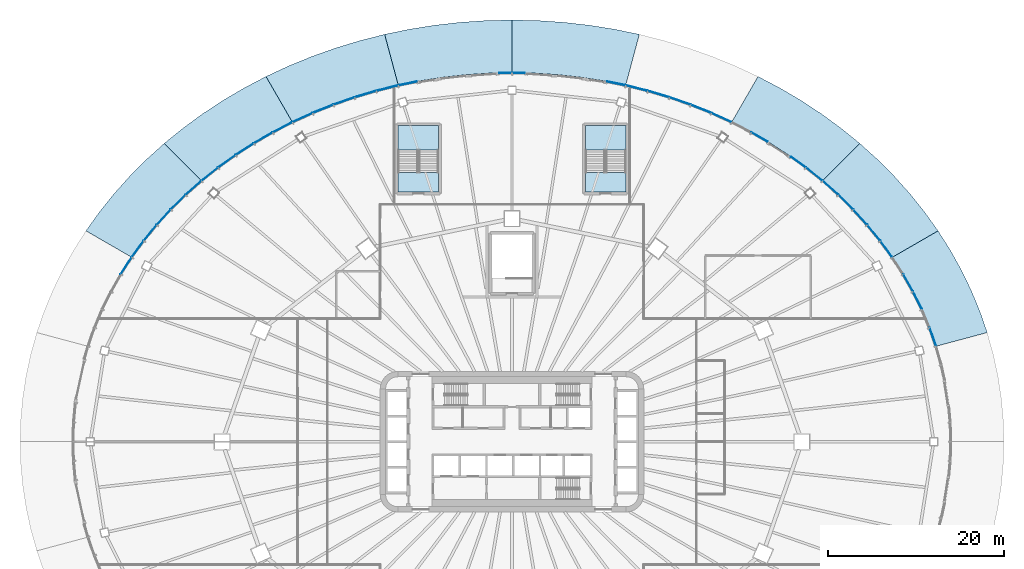
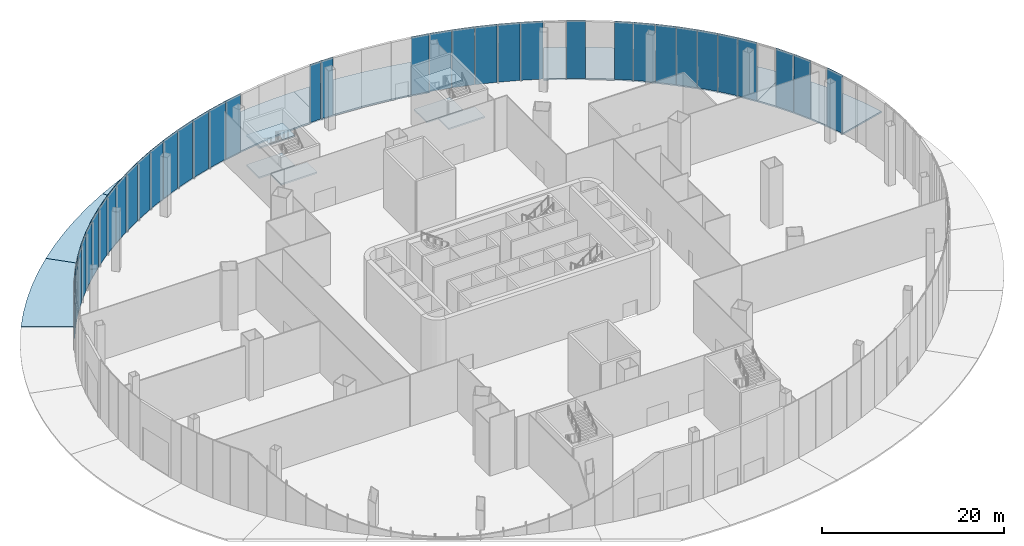
# One storey, part 14 of 36: 36 plates, 14 slabs, 15 elements without a shape of their own.
"""IFC4 building model written with IfcOpenShell, lengths in metres."""

from ifc_helpers import new_model, si_unit, direction, frame, origin, place, context, subcontext, project, spatial, polyline, outline, extrude, material, layer, layer_set, type_object, element, aggregate, save


model = new_model("IFC4")

# Units and contexts
model_context = context("Model", 3, precision=1e-05, world=origin(), true_north=direction((0.0, 1.0)))
body_context = subcontext(model_context, "Body", "Model", "MODEL_VIEW")
ifc_project = project(units=[si_unit("LENGTHUNIT", "METRE"), si_unit("AREAUNIT", "SQUARE_METRE"), si_unit("VOLUMEUNIT", "CUBIC_METRE"), si_unit("PLANEANGLEUNIT", "RADIAN"), si_unit("MASSUNIT", "GRAM", prefix="KILO")], contexts=[model_context])

# Site, building, storey
site_placement = place(None, origin())
site = spatial("IfcSite", under=ifc_project, at=site_placement, CompositionType="ELEMENT")
building_placement = place(site_placement, origin())
building = spatial("IfcBuilding", under=site, at=building_placement, Name="Sahrelin Media Tower", CompositionType="ELEMENT")
storey_placement = place(building_placement, origin())
storey = spatial("IfcBuildingStorey", under=building, at=storey_placement, Name="L00", CompositionType="ELEMENT", Elevation=0.0)

# Curtain wall, plates
ifc_material_1 = material(Name="Champagne anodised aluminium 6063-T6", Category="aluminium")
ifc_layer_1 = layer(ifc_material_1, 0.14990234375)
ifc_layer_set_1 = layer_set([ifc_layer_1], Name="Concourse curtain wall")
curtain_wall_type_1 = type_object("IfcCurtainWallType", Name="Concourse curtain wall", PredefinedType="NOTDEFINED", material=ifc_layer_set_1)
curtain_wall_1_placement = place(storey_placement, frame((48.29638671875, 10.870361328125, 0.0), z_axis=(0.0, 0.0, 1.0), x_axis=(1.0, 0.0, 0.0)))
curtain_wall_1 = element("IfcCurtainWall", 1, at=curtain_wall_1_placement, inside=storey, type_object=curtain_wall_type_1, Name="L00:CW:L00-P01", PredefinedType="NOTDEFINED")
ifc_material_2 = material(Name="Clear low-iron glazing", Category="glass")
ifc_layer_2 = layer(ifc_material_2, 0.06005859375)
ifc_layer_set_2 = layer_set([ifc_layer_2], Name="Glazing panel 60 mm CW4")
plate_type_1 = type_object("IfcPlateType", Name="Glazing panel 60 mm CW4", PredefinedType="CURTAIN_PANEL", material=ifc_layer_set_2)
plate_1_placement = place(storey_placement, frame((48.295166015625, 10.93359375, 0.0), z_axis=(0.94310008559, 0.332508990195, 0.0), x_axis=(-0.332508990195, 0.94310008559, 0.0)))
plate_1 = element("IfcPlate", 2, at=plate_1_placement, type_object=plate_type_1, Name="L00:CWP1a:L00-P01", PredefinedType="CURTAIN_PANEL", context=body_context, shape_type="SweptSolid", body=[
    extrude(outline(polyline([(0.0, 0.0), (2.175537109375, 0.0), (2.175537109375, 7.800048828125), (0.0, 7.800048828125), (0.0, 0.0)])), origin(), (0.0, 0.0, -1.0), 0.06005859375),
])
plate_2_placement = place(storey_placement, frame((46.67041015625, 15.1142578125, 0.0), z_axis=(0.896893733588, 0.442246119994, 0.0), x_axis=(-0.442246119994, 0.896893733588, 0.0)))
plate_2 = element("IfcPlate", 3, at=plate_2_placement, type_object=plate_type_1, Name="L00:CWP3a:L00-P01", PredefinedType="CURTAIN_PANEL", context=body_context, shape_type="SweptSolid", body=[
    extrude(outline(polyline([(0.0, 0.0), (2.204833984375, 0.0), (2.204833984375, 7.800048828125), (0.0, 7.800048828125), (0.0, 0.0)])), origin(), (0.0, 0.0, -1.0), 0.06005859375),
])
plate_3_placement = place(storey_placement, frame((45.6650390625, 17.14501953125, 0.0), z_axis=(0.869558421939, 0.493830082958, 0.0), x_axis=(-0.493830082958, 0.869558421939, 0.0)))
plate_3 = element("IfcPlate", 4, at=plate_3_placement, type_object=plate_type_1, Name="L00:CWP4a:L00-P01", PredefinedType="CURTAIN_PANEL", context=body_context, shape_type="SweptSolid", body=[
    extrude(outline(polyline([(0.0, 0.0), (2.22216796875, 0.0), (2.22216796875, 7.800048828125), (0.0, 7.800048828125), (0.0, 0.0)])), origin(), (0.0, 0.0, -1.0), 0.06005859375),
])
aggregate(curtain_wall_1, [plate_1, plate_2, plate_3])

curtain_wall_2_placement = place(storey_placement, frame((43.30126953125, 21.0, 0.0), z_axis=(0.0, 0.0, 1.0), x_axis=(1.0, 0.0, 0.0)))
curtain_wall_2 = element("IfcCurtainWall", 5, at=curtain_wall_2_placement, inside=storey, type_object=curtain_wall_type_1, Name="L00:CW:L00-P02", PredefinedType="NOTDEFINED")
plate_4_placement = place(storey_placement, frame((43.281982421875, 21.060302734375, 0.0), z_axis=(0.807899339491, 0.589320504692, 0.0), x_axis=(-0.589320504692, 0.807899339491, 0.0)))
plate_4 = element("IfcPlate", 6, at=plate_4_placement, type_object=plate_type_1, Name="L00:CWP1a:L00-P02", PredefinedType="CURTAIN_PANEL", context=body_context, shape_type="SweptSolid", body=[
    extrude(outline(polyline([(0.0, 0.0), (2.2607421875, 0.0), (2.2607421875, 7.800048828125), (0.0, 7.800048828125), (0.0, 0.0)])), origin(), (0.0, 0.0, -1.0), 0.06005859375),
])
plate_5_placement = place(storey_placement, frame((41.910888671875, 22.933837890625, 0.0), z_axis=(0.774004974834, 0.633179515566, 0.0), x_axis=(-0.633179515566, 0.774004974834, 0.0)))
plate_5 = element("IfcPlate", 7, at=plate_5_placement, type_object=plate_type_1, Name="L00:CWP2a:L00-P02", PredefinedType="CURTAIN_PANEL", context=body_context, shape_type="SweptSolid", body=[
    extrude(outline(polyline([(0.0, 0.0), (2.281494140625, 0.0), (2.281494140625, 7.800048828125), (0.0, 7.800048828125), (0.0, 0.0)])), origin(), (0.0, 0.0, -1.0), 0.06005859375),
])
plate_6_placement = place(storey_placement, frame((40.425048828125, 24.744873046875, 0.0), z_axis=(0.738350052699, 0.6744176745, 0.0), x_axis=(-0.6744176745, 0.738350052699, 0.0)))
plate_6 = element("IfcPlate", 8, at=plate_6_placement, type_object=plate_type_1, Name="L00:CWP3a:L00-P02", PredefinedType="CURTAIN_PANEL", context=body_context, shape_type="SweptSolid", body=[
    extrude(outline(polyline([(0.0, 0.0), (2.302734375, 0.0), (2.302734375, 7.800048828125), (0.0, 7.800048828125), (0.0, 0.0)])), origin(), (0.0, 0.0, -1.0), 0.06005859375),
])
plate_7_placement = place(storey_placement, frame((38.82861328125, 26.48779296875, 0.0), z_axis=(0.701201349036, 0.712963300675, 0.0), x_axis=(-0.712963300675, 0.701201349036, 0.0)))
plate_7 = element("IfcPlate", 9, at=plate_7_placement, type_object=plate_type_1, Name="L00:CWP4a:L00-P02", PredefinedType="CURTAIN_PANEL", context=body_context, shape_type="SweptSolid", body=[
    extrude(outline(polyline([(0.0, 0.0), (2.32470703125, 0.0), (2.32470703125, 7.800048828125), (0.0, 7.800048828125), (0.0, 0.0)])), origin(), (0.0, 0.0, -1.0), 0.06005859375),
])
plate_8_placement = place(storey_placement, frame((37.12548828125, 28.158203125, 0.0), z_axis=(0.662825302002, 0.748774077426, 0.0), x_axis=(-0.748774077426, 0.662825302002, 0.0)))
plate_8 = element("IfcPlate", 10, at=plate_8_placement, type_object=plate_type_1, Name="L00:CWP5a:L00-P02", PredefinedType="CURTAIN_PANEL", context=body_context, shape_type="SweptSolid", body=[
    extrude(outline(polyline([(0.0, 0.0), (2.34619140625, 0.0), (2.34619140625, 7.800048828125), (0.0, 7.800048828125), (0.0, 0.0)])), origin(), (0.0, 0.0, -1.0), 0.06005859375),
])
aggregate(curtain_wall_2, [plate_4, plate_5, plate_6, plate_7, plate_8])

curtain_wall_3_placement = place(storey_placement, frame((35.355224609375, 29.698486328125, 0.0), z_axis=(0.0, 0.0, 1.0), x_axis=(1.0, 0.0, 0.0)))
curtain_wall_3 = element("IfcCurtainWall", 11, at=curtain_wall_3_placement, inside=storey, type_object=curtain_wall_type_1, Name="L00:CW:L00-P03", PredefinedType="NOTDEFINED")
plate_9_placement = place(storey_placement, frame((35.32080078125, 29.75146484375, 0.0), z_axis=(0.623374123607, 0.781923718797, 0.0), x_axis=(-0.781923718797, 0.623374123607, 0.0)))
plate_9 = element("IfcPlate", 12, at=plate_9_placement, type_object=plate_type_1, Name="L00:CWP1a:L00-P03", PredefinedType="CURTAIN_PANEL", context=body_context, shape_type="SweptSolid", body=[
    extrude(outline(polyline([(0.0, 0.0), (2.3681640625, 0.0), (2.3681640625, 7.800048828125), (0.0, 7.800048828125), (0.0, 0.0)])), origin(), (0.0, 0.0, -1.0), 0.06005859375),
])
plate_10_placement = place(storey_placement, frame((33.41943359375, 31.26318359375, 0.0), z_axis=(0.582949448975, 0.812508424534, 0.0), x_axis=(-0.812508424534, 0.582949448975, 0.0)))
plate_10 = element("IfcPlate", 13, at=plate_10_placement, type_object=plate_type_1, Name="L00:CWP2a:L00-P03", PredefinedType="CURTAIN_PANEL", context=body_context, shape_type="SweptSolid", body=[
    extrude(outline(polyline([(0.0, 0.0), (2.022705078125, 0.0), (2.022705078125, 7.800048828125), (0.0, 7.800048828125), (0.0, 0.0)])), origin(), (0.0, 0.0, -1.0), 0.06005859375),
])
aggregate(curtain_wall_3, [plate_9, plate_10])

# Curtain wall, plate
curtain_wall_4_placement = place(storey_placement, frame((29.07568359375, 34.159912109375, 0.0), z_axis=(0.0, 0.0, 1.0), x_axis=(1.0, 0.0, 0.0)))
curtain_wall_4 = element("IfcCurtainWall", 14, at=curtain_wall_4_placement, inside=storey, type_object=curtain_wall_type_1, Name="L00:CW2:L00-P03", PredefinedType="NOTDEFINED")
plate_11_placement = place(storey_placement, frame((29.085693359375, 34.177001953125, 0.0), z_axis=(0.499987164874, 0.866032814021, 0.0), x_axis=(-0.866032814021, 0.499987164874, 0.0)))
plate_11 = element("IfcPlate", 15, at=plate_11_placement, type_object=plate_type_1, Name="L00:CWP4a:L00-P03", PredefinedType="CURTAIN_PANEL", context=body_context, shape_type="SweptSolid", body=[
    extrude(outline(polyline([(0.0, 0.0), (2.12890625, 0.0), (2.12890625, 7.800048828125), (0.0, 7.800048828125), (0.0, 0.0)])), origin(), (0.0, 0.0, -1.0), 0.06005859375),
])
aggregate(curtain_wall_4, [plate_11])

# Curtain wall, plates
curtain_wall_5_placement = place(storey_placement, frame((25.0, 36.373046875, 0.0), z_axis=(0.0, 0.0, 1.0), x_axis=(1.0, 0.0, 0.0)))
curtain_wall_5 = element("IfcCurtainWall", 16, at=curtain_wall_5_placement, inside=storey, type_object=curtain_wall_type_1, Name="L00:CW:L00-P04", PredefinedType="NOTDEFINED")
plate_12_placement = place(storey_placement, frame((24.95361328125, 36.416259765625, 0.0), z_axis=(0.414920431956, 0.909857700492, 0.0), x_axis=(-0.909857700492, 0.414920431956, 0.0)))
plate_12 = element("IfcPlate", 17, at=plate_12_placement, type_object=plate_type_1, Name="L00:CWP1a:L00-P04", PredefinedType="CURTAIN_PANEL", context=body_context, shape_type="SweptSolid", body=[
    extrude(outline(polyline([(0.0, 0.0), (2.46826171875, 0.0), (2.46826171875, 7.800048828125), (0.0, 7.800048828125), (0.0, 0.0)])), origin(), (0.0, 0.0, -1.0), 0.06005859375),
])
plate_13_placement = place(storey_placement, frame((22.651123046875, 37.463134765625, 0.0), z_axis=(0.37193262101, 0.928259729509, 0.0), x_axis=(-0.928259729509, 0.37193262101, 0.0)))
plate_13 = element("IfcPlate", 18, at=plate_13_placement, type_object=plate_type_1, Name="L00:CWP2a:L00-P04", PredefinedType="CURTAIN_PANEL", context=body_context, shape_type="SweptSolid", body=[
    extrude(outline(polyline([(0.0, 0.0), (2.485107421875, 0.0), (2.485107421875, 7.800048828125), (0.0, 7.800048828125), (0.0, 0.0)])), origin(), (0.0, 0.0, -1.0), 0.06005859375),
])
plate_14_placement = place(storey_placement, frame((20.28662109375, 38.407470703125, 0.0), z_axis=(0.328649378863, 0.944452002895, 0.0), x_axis=(-0.944452002895, 0.328649378863, 0.0)))
plate_14 = element("IfcPlate", 19, at=plate_14_placement, type_object=plate_type_1, Name="L00:CWP3a:L00-P04", PredefinedType="CURTAIN_PANEL", context=body_context, shape_type="SweptSolid", body=[
    extrude(outline(polyline([(0.0, 0.0), (2.50048828125, 0.0), (2.50048828125, 7.800048828125), (0.0, 7.800048828125), (0.0, 0.0)])), origin(), (0.0, 0.0, -1.0), 0.06005859375),
])
plate_15_placement = place(storey_placement, frame((17.86669921875, 39.24658203125, 0.0), z_axis=(0.285155908316, 0.958481146373, 0.0), x_axis=(-0.958481146373, 0.285155908316, 0.0)))
plate_15 = element("IfcPlate", 20, at=plate_15_placement, type_object=plate_type_1, Name="L00:CWP4a:L00-P04", PredefinedType="CURTAIN_PANEL", context=body_context, shape_type="SweptSolid", body=[
    extrude(outline(polyline([(0.0, 0.0), (2.5146484375, 0.0), (2.5146484375, 7.800048828125), (0.0, 7.800048828125), (0.0, 0.0)])), origin(), (0.0, 0.0, -1.0), 0.06005859375),
])
plate_16_placement = place(storey_placement, frame((15.3974609375, 39.978271484375, 0.0), z_axis=(0.241489557979, 0.970403417856, 0.0), x_axis=(-0.970403417856, 0.241489557979, 0.0)))
plate_16 = element("IfcPlate", 21, at=plate_16_placement, type_object=plate_type_1, Name="L00:CWP5a:L00-P04", PredefinedType="CURTAIN_PANEL", context=body_context, shape_type="SweptSolid", body=[
    extrude(outline(polyline([(0.0, 0.0), (2.5263671875, 0.0), (2.5263671875, 7.800048828125), (0.0, 7.800048828125), (0.0, 0.0)])), origin(), (0.0, 0.0, -1.0), 0.06005859375),
])
aggregate(curtain_wall_5, [plate_12, plate_13, plate_14, plate_15, plate_16])

curtain_wall_6_placement = place(storey_placement, frame((-12.94091796875, 40.56884765625, 0.0), z_axis=(0.0, 0.0, 1.0), x_axis=(1.0, 0.0, 0.0)))
curtain_wall_6 = element("IfcCurtainWall", 22, at=curtain_wall_6_placement, inside=storey, type_object=curtain_wall_type_1, Name="L00:CW:L00-P07", PredefinedType="NOTDEFINED")
plate_17_placement = place(storey_placement, frame((-13.004150390625, 40.57373046875, 0.0), z_axis=(-0.241421195895, 0.970420427533, 0.0), x_axis=(-0.970420427533, -0.241421195895, 0.0)))
plate_17 = element("IfcPlate", 23, at=plate_17_placement, type_object=plate_type_1, Name="L00:CWP1a:L00-P07", PredefinedType="CURTAIN_PANEL", context=body_context, shape_type="SweptSolid", body=[
    extrude(outline(polyline([(0.0, 0.0), (2.526123046875, 0.0), (2.526123046875, 7.800048828125), (0.0, 7.800048828125), (0.0, 0.0)])), origin(), (0.0, 0.0, -1.0), 0.06005859375),
])
plate_18_placement = place(storey_placement, frame((-15.513916015625, 39.946533203125, 0.0), z_axis=(-0.285155908316, 0.958481146373, 0.0), x_axis=(-0.958481146373, -0.285155908316, 0.0)))
plate_18 = element("IfcPlate", 24, at=plate_18_placement, type_object=plate_type_1, Name="L00:CWP2a:L00-P07", PredefinedType="CURTAIN_PANEL", context=body_context, shape_type="SweptSolid", body=[
    extrude(outline(polyline([(0.0, 0.0), (2.5146484375, 0.0), (2.5146484375, 7.800048828125), (0.0, 7.800048828125), (0.0, 0.0)])), origin(), (0.0, 0.0, -1.0), 0.06005859375),
])
plate_19_placement = place(storey_placement, frame((-17.981689453125, 39.209716796875, 0.0), z_axis=(-0.328706157062, 0.944432243366, 0.0), x_axis=(-0.944432243366, -0.328706157062, 0.0)))
plate_19 = element("IfcPlate", 25, at=plate_19_placement, type_object=plate_type_1, Name="L00:CWP3a:L00-P07", PredefinedType="CURTAIN_PANEL", context=body_context, shape_type="SweptSolid", body=[
    extrude(outline(polyline([(0.0, 0.0), (2.500732421875, 0.0), (2.500732421875, 7.800048828125), (0.0, 7.800048828125), (0.0, 0.0)])), origin(), (0.0, 0.0, -1.0), 0.06005859375),
])
plate_20_placement = place(storey_placement, frame((-20.39990234375, 38.365234375, 0.0), z_axis=(-0.37193262101, 0.928259729509, 0.0), x_axis=(-0.928259729509, -0.37193262101, 0.0)))
plate_20 = element("IfcPlate", 26, at=plate_20_placement, type_object=plate_type_1, Name="L00:CWP4a:L00-P07", PredefinedType="CURTAIN_PANEL", context=body_context, shape_type="SweptSolid", body=[
    extrude(outline(polyline([(0.0, 0.0), (2.485107421875, 0.0), (2.485107421875, 7.800048828125), (0.0, 7.800048828125), (0.0, 0.0)])), origin(), (0.0, 0.0, -1.0), 0.06005859375),
])
plate_21_placement = place(storey_placement, frame((-22.762451171875, 37.41552734375, 0.0), z_axis=(-0.414920431956, 0.909857700492, 0.0), x_axis=(-0.909857700492, -0.414920431956, 0.0)))
plate_21 = element("IfcPlate", 27, at=plate_21_placement, type_object=plate_type_1, Name="L00:CWP5a:L00-P07", PredefinedType="CURTAIN_PANEL", context=body_context, shape_type="SweptSolid", body=[
    extrude(outline(polyline([(0.0, 0.0), (2.46826171875, 0.0), (2.46826171875, 7.800048828125), (0.0, 7.800048828125), (0.0, 0.0)])), origin(), (0.0, 0.0, -1.0), 0.06005859375),
])
aggregate(curtain_wall_6, [plate_17, plate_18, plate_19, plate_20, plate_21])

curtain_wall_7_placement = place(storey_placement, frame((-25.0, 36.373046875, 0.0), z_axis=(0.0, 0.0, 1.0), x_axis=(1.0, 0.0, 0.0)))
curtain_wall_7 = element("IfcCurtainWall", 28, at=curtain_wall_7_placement, inside=storey, type_object=curtain_wall_type_1, Name="L00:CW:L00-P08", PredefinedType="NOTDEFINED")
plate_22_placement = place(storey_placement, frame((-25.0625, 36.36328125, 0.0), z_axis=(-0.457624898089, 0.889145349563, 0.0), x_axis=(-0.889145349563, -0.457624898089, 0.0)))
plate_22 = element("IfcPlate", 29, at=plate_22_placement, type_object=plate_type_1, Name="L00:CWP1a:L00-P08", PredefinedType="CURTAIN_PANEL", context=body_context, shape_type="SweptSolid", body=[
    extrude(outline(polyline([(0.0, 0.0), (2.450439453125, 0.0), (2.450439453125, 7.800048828125), (0.0, 7.800048828125), (0.0, 0.0)])), origin(), (0.0, 0.0, -1.0), 0.06005859375),
])
plate_23_placement = place(storey_placement, frame((-27.2939453125, 35.21142578125, 0.0), z_axis=(-0.499919502453, 0.866071874077, 0.0), x_axis=(-0.866071874077, -0.499919502453, 0.0)))
plate_23 = element("IfcPlate", 30, at=plate_23_placement, type_object=plate_type_1, Name="L00:CWP2a:L00-P08", PredefinedType="CURTAIN_PANEL", context=body_context, shape_type="SweptSolid", body=[
    extrude(outline(polyline([(0.0, 0.0), (2.43115234375, 0.0), (2.43115234375, 7.800048828125), (0.0, 7.800048828125), (0.0, 0.0)])), origin(), (0.0, 0.0, -1.0), 0.06005859375),
])
plate_24_placement = place(storey_placement, frame((-29.45068359375, 33.962890625, 0.0), z_axis=(-0.541755401302, 0.840536189084, 0.0), x_axis=(-0.840536189084, -0.541755401302, 0.0)))
plate_24 = element("IfcPlate", 31, at=plate_24_placement, type_object=plate_type_1, Name="L00:CWP3a:L00-P08", PredefinedType="CURTAIN_PANEL", context=body_context, shape_type="SweptSolid", body=[
    extrude(outline(polyline([(0.0, 0.0), (2.410400390625, 0.0), (2.410400390625, 7.800048828125), (0.0, 7.800048828125), (0.0, 0.0)])), origin(), (0.0, 0.0, -1.0), 0.06005859375),
])
plate_25_placement = place(storey_placement, frame((-31.5263671875, 32.621337890625, 0.0), z_axis=(-0.582831626264, 0.812592945715, 0.0), x_axis=(-0.812592945715, -0.582831626264, 0.0)))
plate_25 = element("IfcPlate", 32, at=plate_25_placement, type_object=plate_type_1, Name="L00:CWP4a:L00-P08", PredefinedType="CURTAIN_PANEL", context=body_context, shape_type="SweptSolid", body=[
    extrude(outline(polyline([(0.0, 0.0), (2.3896484375, 0.0), (2.3896484375, 7.800048828125), (0.0, 7.800048828125), (0.0, 0.0)])), origin(), (0.0, 0.0, -1.0), 0.06005859375),
])
plate_26_placement = place(storey_placement, frame((-33.515869140625, 31.190185546875, 0.0), z_axis=(-0.623260841963, 0.782014017058, 0.0), x_axis=(-0.782014017058, -0.623260841963, 0.0)))
plate_26 = element("IfcPlate", 33, at=plate_26_placement, type_object=plate_type_1, Name="L00:CWP5a:L00-P08", PredefinedType="CURTAIN_PANEL", context=body_context, shape_type="SweptSolid", body=[
    extrude(outline(polyline([(0.0, 0.0), (2.368408203125, 0.0), (2.368408203125, 7.800048828125), (0.0, 7.800048828125), (0.0, 0.0)])), origin(), (0.0, 0.0, -1.0), 0.06005859375),
])
aggregate(curtain_wall_7, [plate_22, plate_23, plate_24, plate_25, plate_26])

curtain_wall_8_placement = place(storey_placement, frame((-35.355224609375, 29.698486328125, 0.0), z_axis=(0.0, 0.0, 1.0), x_axis=(1.0, 0.0, 0.0)))
curtain_wall_8 = element("IfcCurtainWall", 34, at=curtain_wall_8_placement, inside=storey, type_object=curtain_wall_type_1, Name="L00:CW:L00-P09", PredefinedType="NOTDEFINED")
plate_27_placement = place(storey_placement, frame((-35.41357421875, 29.673583984375, 0.0), z_axis=(-0.662825302002, 0.748774077426, 0.0), x_axis=(-0.748774077426, -0.662825302002, 0.0)))
plate_27 = element("IfcPlate", 35, at=plate_27_placement, type_object=plate_type_1, Name="L00:CWP1a:L00-P09", PredefinedType="CURTAIN_PANEL", context=body_context, shape_type="SweptSolid", body=[
    extrude(outline(polyline([(0.0, 0.0), (2.34619140625, 0.0), (2.34619140625, 7.800048828125), (0.0, 7.800048828125), (0.0, 0.0)])), origin(), (0.0, 0.0, -1.0), 0.06005859375),
])
plate_28_placement = place(storey_placement, frame((-37.214111328125, 28.07568359375, 0.0), z_axis=(-0.701200468246, 0.712964166934, 0.0), x_axis=(-0.712964166934, -0.701200468246, 0.0)))
plate_28 = element("IfcPlate", 36, at=plate_28_placement, type_object=plate_type_1, Name="L00:CWP2a:L00-P09", PredefinedType="CURTAIN_PANEL", context=body_context, shape_type="SweptSolid", body=[
    extrude(outline(polyline([(0.0, 0.0), (2.324462890625, 0.0), (2.324462890625, 7.800048828125), (0.0, 7.800048828125), (0.0, 0.0)])), origin(), (0.0, 0.0, -1.0), 0.06005859375),
])
plate_29_placement = place(storey_placement, frame((-38.91259765625, 26.400634765625, 0.0), z_axis=(-0.738350052699, 0.6744176745, 0.0), x_axis=(-0.6744176745, -0.738350052699, 0.0)))
plate_29 = element("IfcPlate", 37, at=plate_29_placement, type_object=plate_type_1, Name="L00:CWP3a:L00-P09", PredefinedType="CURTAIN_PANEL", context=body_context, shape_type="SweptSolid", body=[
    extrude(outline(polyline([(0.0, 0.0), (2.302734375, 0.0), (2.302734375, 7.800048828125), (0.0, 7.800048828125), (0.0, 0.0)])), origin(), (0.0, 0.0, -1.0), 0.06005859375),
])
plate_30_placement = place(storey_placement, frame((-40.50439453125, 24.6533203125, 0.0), z_axis=(-0.774004974834, 0.633179515566, 0.0), x_axis=(-0.633179515566, -0.774004974834, 0.0)))
plate_30 = element("IfcPlate", 38, at=plate_30_placement, type_object=plate_type_1, Name="L00:CWP4a:L00-P09", PredefinedType="CURTAIN_PANEL", context=body_context, shape_type="SweptSolid", body=[
    extrude(outline(polyline([(0.0, 0.0), (2.281494140625, 0.0), (2.281494140625, 7.800048828125), (0.0, 7.800048828125), (0.0, 0.0)])), origin(), (0.0, 0.0, -1.0), 0.06005859375),
])
plate_31_placement = place(storey_placement, frame((-41.985107421875, 22.838134765625, 0.0), z_axis=(-0.807899339491, 0.589320504692, 0.0), x_axis=(-0.589320504692, -0.807899339491, 0.0)))
plate_31 = element("IfcPlate", 39, at=plate_31_placement, type_object=plate_type_1, Name="L00:CWP5a:L00-P09", PredefinedType="CURTAIN_PANEL", context=body_context, shape_type="SweptSolid", body=[
    extrude(outline(polyline([(0.0, 0.0), (2.2607421875, 0.0), (2.2607421875, 7.800048828125), (0.0, 7.800048828125), (0.0, 0.0)])), origin(), (0.0, 0.0, -1.0), 0.06005859375),
])
aggregate(curtain_wall_8, [plate_27, plate_28, plate_29, plate_30, plate_31])

# Curtain wall, plate
curtain_wall_9_placement = place(storey_placement, frame((-43.30126953125, 21.0, 0.0), z_axis=(0.0, 0.0, 1.0), x_axis=(1.0, 0.0, 0.0)))
curtain_wall_9 = element("IfcCurtainWall", 40, at=curtain_wall_9_placement, inside=storey, type_object=curtain_wall_type_1, Name="L00:CW:L00-P10", PredefinedType="NOTDEFINED")
plate_32_placement = place(storey_placement, frame((-43.3505859375, 20.96044921875, 0.0), z_axis=(-0.839795162144, 0.54290338518, 0.0), x_axis=(-0.54290338518, -0.839795162144, 0.0)))
plate_32 = element("IfcPlate", 41, at=plate_32_placement, type_object=plate_type_1, Name="L00:CWP1a:L00-P10", PredefinedType="CURTAIN_PANEL", context=body_context, shape_type="SweptSolid", body=[
    extrude(outline(polyline([(0.0, 0.0), (2.24072265625, 0.0), (2.24072265625, 7.800048828125), (0.0, 7.800048828125), (0.0, 0.0)])), origin(), (0.0, 0.0, -1.0), 0.06005859375),
])
aggregate(curtain_wall_9, [plate_32])

ifc_layer_3 = layer(ifc_material_1, 0.14990234375)
ifc_layer_set_3 = layer_set([ifc_layer_3], Name="Entrance bay curtain wall")
curtain_wall_type_2 = type_object("IfcCurtainWallType", Name="Entrance bay curtain wall", PredefinedType="NOTDEFINED", material=ifc_layer_set_3)
curtain_wall_10_placement = place(storey_placement, frame((12.94091796875, 40.56884765625, 0.0), z_axis=(0.0, 0.0, 1.0), x_axis=(1.0, 0.0, 0.0)))
curtain_wall_10 = element("IfcCurtainWall", 42, at=curtain_wall_10_placement, inside=storey, type_object=curtain_wall_type_2, Name="L00:CW:L00-P05", PredefinedType="NOTDEFINED")
ifc_layer_4 = layer(ifc_material_2, 0.06005859375)
ifc_layer_set_4 = layer_set([ifc_layer_4], Name="Glazing panel 60 mm CW6")
plate_type_2 = type_object("IfcPlateType", Name="Glazing panel 60 mm CW6", PredefinedType="CURTAIN_PANEL", material=ifc_layer_set_4)
plate_33_placement = place(storey_placement, frame((12.876220703125, 40.602294921875, 0.0), z_axis=(0.197671612064, 0.980268296837, 0.0), x_axis=(-0.980268296837, 0.197671612064, 0.0)))
plate_33 = element("IfcPlate", 43, at=plate_33_placement, type_object=plate_type_2, Name="L00:CWP1a:L00-P05", PredefinedType="CURTAIN_PANEL", context=body_context, shape_type="SweptSolid", body=[
    extrude(outline(polyline([(0.0, 0.0), (2.082275390625, 0.0), (2.082275390625, 7.800048828125), (0.0, 7.800048828125), (0.0, 0.0)])), origin(), (0.0, 0.0, -1.0), 0.06005859375),
])
aggregate(curtain_wall_10, [plate_33])

curtain_wall_11_placement = place(storey_placement, frame((1.450927734375, 41.968017578125, 0.0), z_axis=(0.0, 0.0, 1.0), x_axis=(1.0, 0.0, 0.0)))
curtain_wall_11 = element("IfcCurtainWall", 44, at=curtain_wall_11_placement, inside=storey, type_object=curtain_wall_type_2, Name="L00:CW2:L00-P05", PredefinedType="NOTDEFINED")
plate_34_placement = place(storey_placement, frame((1.451416015625, 41.988037109375, 0.0), z_axis=(0.022037386219, 0.999757147316, 0.0), x_axis=(-0.999757147316, 0.022037386219, 0.0)))
plate_34 = element("IfcPlate", 45, at=plate_34_placement, type_object=plate_type_2, Name="L00:CWP5a:L00-P05", PredefinedType="CURTAIN_PANEL", context=body_context, shape_type="SweptSolid", body=[
    extrude(outline(polyline([(0.0, 0.0), (1.451171875, 0.0), (1.451171875, 7.800048828125), (0.0, 7.800048828125), (0.0, 0.0)])), origin(), (0.0, 0.0, -1.0), 0.06005859375),
])
aggregate(curtain_wall_11, [plate_34])

curtain_wall_12_placement = place(storey_placement, frame((0.0, 42.0, 0.0), z_axis=(0.0, 0.0, 1.0), x_axis=(1.0, 0.0, 0.0)))
curtain_wall_12 = element("IfcCurtainWall", 46, at=curtain_wall_12_placement, inside=storey, type_object=curtain_wall_type_2, Name="L00:CW:L00-P06", PredefinedType="NOTDEFINED")
plate_35_placement = place(storey_placement, frame((-0.0703125, 42.0185546875, 0.0), z_axis=(-0.022091125184, 0.999755961317, 0.0), x_axis=(-0.999755961317, -0.022091125184, 0.0)))
plate_35 = element("IfcPlate", 47, at=plate_35_placement, type_object=plate_type_2, Name="L00:CWP1a:L00-P06", PredefinedType="CURTAIN_PANEL", context=body_context, shape_type="SweptSolid", body=[
    extrude(outline(polyline([(0.0, 0.0), (1.38134765625, 0.0), (1.38134765625, 7.800048828125), (0.0, 7.800048828125), (0.0, 0.0)])), origin(), (0.0, 0.0, -1.0), 0.06005859375),
])
aggregate(curtain_wall_12, [plate_35])

curtain_wall_13_placement = place(storey_placement, frame((-10.8310546875, 40.994384765625, 0.0), z_axis=(0.0, 0.0, 1.0), x_axis=(1.0, 0.0, 0.0)))
curtain_wall_13 = element("IfcCurtainWall", 48, at=curtain_wall_13_placement, inside=storey, type_object=curtain_wall_type_2, Name="L00:CW2:L00-P06", PredefinedType="NOTDEFINED")
plate_36_placement = place(storey_placement, frame((-10.8349609375, 41.013916015625, 0.0), z_axis=(-0.19768627641, 0.98026533965, 0.0), x_axis=(-0.98026533965, -0.19768627641, 0.0)))
plate_36 = element("IfcPlate", 49, at=plate_36_placement, type_object=plate_type_2, Name="L00:CWP5a:L00-P06", PredefinedType="CURTAIN_PANEL", context=body_context, shape_type="SweptSolid", body=[
    extrude(outline(polyline([(0.0, 0.0), (2.152587890625, 0.0), (2.152587890625, 7.800048828125), (0.0, 7.800048828125), (0.0, 0.0)])), origin(), (0.0, 0.0, -1.0), 0.06005859375),
])
aggregate(curtain_wall_13, [plate_36])

# Slabs
ifc_material_3 = material(Name="Concrete C32/40", Category="concrete")
ifc_layer_5 = layer(ifc_material_3, 0.199951171875)
ifc_layer_set_5 = layer_set([ifc_layer_5], Name="Plaza paving slab")
slab_type_1 = type_object("IfcSlabType", Name="Plaza paving slab", PredefinedType="USERDEFINED", material=ifc_layer_set_5)
placement_1 = place(storey_placement, frame((0.0, 0.0, -0.199951171875)))
element("IfcSlab", 50, at=placement_1, inside=storey, type_object=slab_type_1, Name="Plaza PAVING 2", ObjectType="PAVING", PredefinedType="USERDEFINED", context=body_context, shape_type="SweptSolid", body=[
    extrude(outline(polyline([(48.29638671875, 10.870361328125), (47.552734375, 12.978759765625), (46.678955078125, 15.051513671875), (45.67724609375, 17.0830078125), (44.55029296875, 19.067626953125), (43.30126953125, 21.0), (48.49755859375, 24.0), (49.896240234375, 21.79150390625), (51.15869140625, 19.523193359375), (52.280517578125, 17.20166015625), (53.259033203125, 14.832763671875), (54.091796875, 12.42333984375), (48.29638671875, 10.870361328125)])), origin(), (0.0, 0.0, 1.0), 0.199951171875),
])
element("IfcSlab", 51, at=placement_1, inside=storey, type_object=slab_type_1, Name="Plaza PAVING 3", ObjectType="PAVING", PredefinedType="USERDEFINED", context=body_context, shape_type="SweptSolid", body=[
    extrude(outline(polyline([(43.30126953125, 21.0), (41.93359375, 22.874755859375), (40.45068359375, 24.68701171875), (38.857421875, 26.431396484375), (37.1572265625, 28.103515625), (35.355224609375, 29.698486328125), (39.597900390625, 33.941162109375), (41.6162109375, 32.118408203125), (43.520263671875, 30.20751953125), (45.304931640625, 28.213623046875), (46.965576171875, 26.142578125), (48.49755859375, 24.0), (43.30126953125, 21.0)])), origin(), (0.0, 0.0, 1.0), 0.199951171875),
])
element("IfcSlab", 52, at=placement_1, inside=storey, type_object=slab_type_1, Name="Plaza PAVING 4", ObjectType="PAVING", PredefinedType="USERDEFINED", context=body_context, shape_type="SweptSolid", body=[
    extrude(outline(polyline([(35.355224609375, 29.698486328125), (33.45654296875, 31.212158203125), (31.466064453125, 32.64013671875), (29.389404296875, 33.978759765625), (27.23193359375, 35.22412109375), (25.0, 36.373046875), (28.0, 41.5693359375), (30.499755859375, 40.256103515625), (32.916015625, 38.832763671875), (35.241943359375, 37.302978515625), (37.47119140625, 35.6708984375), (39.597900390625, 33.941162109375), (35.355224609375, 29.698486328125)])), origin(), (0.0, 0.0, 1.0), 0.199951171875),
])
element("IfcSlab", 53, at=placement_1, inside=storey, type_object=slab_type_1, Name="Plaza PAVING 6", ObjectType="PAVING", PredefinedType="USERDEFINED", context=body_context, shape_type="SweptSolid", body=[
    extrude(outline(polyline([(12.94091796875, 40.56884765625), (10.3955078125, 41.082275390625), (7.82177734375, 41.48291015625), (5.226318359375, 41.77001953125), (2.61669921875, 41.9423828125), (0.0, 42.0), (0.0, 48.0), (2.930908203125, 47.93408203125), (5.853515625, 47.737060546875), (8.76025390625, 47.408935546875), (11.64306640625, 46.951171875), (14.493896484375, 46.364501953125), (12.94091796875, 40.56884765625)])), origin(), (0.0, 0.0, 1.0), 0.199951171875),
])
element("IfcSlab", 54, at=placement_1, inside=storey, type_object=slab_type_1, Name="Plaza PAVING 7", ObjectType="PAVING", PredefinedType="USERDEFINED", context=body_context, shape_type="SweptSolid", body=[
    extrude(outline(polyline([(0.0, 42.0), (-2.61669921875, 41.9423828125), (-5.226318359375, 41.77001953125), (-7.82177734375, 41.48291015625), (-10.3955078125, 41.082275390625), (-12.94091796875, 40.56884765625), (-14.493896484375, 46.364501953125), (-11.64306640625, 46.951171875), (-8.76025390625, 47.408935546875), (-5.853515625, 47.737060546875), (-2.930908203125, 47.93408203125), (0.0, 48.0), (0.0, 42.0)])), origin(), (0.0, 0.0, 1.0), 0.199951171875),
])
element("IfcSlab", 55, at=placement_1, inside=storey, type_object=slab_type_1, Name="Plaza PAVING 8", ObjectType="PAVING", PredefinedType="USERDEFINED", context=body_context, shape_type="SweptSolid", body=[
    extrude(outline(polyline([(-12.94091796875, 40.56884765625), (-15.45068359375, 39.9443359375), (-17.91845703125, 39.21044921875), (-20.3369140625, 38.368896484375), (-22.699462890625, 37.42236328125), (-25.0, 36.373046875), (-28.0, 41.5693359375), (-25.42333984375, 42.768310546875), (-22.777099609375, 43.85009765625), (-20.068603515625, 44.81201171875), (-17.304931640625, 45.650634765625), (-14.493896484375, 46.364501953125), (-12.94091796875, 40.56884765625)])), origin(), (0.0, 0.0, 1.0), 0.199951171875),
])
element("IfcSlab", 56, at=placement_1, inside=storey, type_object=slab_type_1, Name="Plaza PAVING 9", ObjectType="PAVING", PredefinedType="USERDEFINED", context=body_context, shape_type="SweptSolid", body=[
    extrude(outline(polyline([(-25.0, 36.373046875), (-27.23193359375, 35.22412109375), (-29.389404296875, 33.978759765625), (-31.466064453125, 32.64013671875), (-33.45654296875, 31.212158203125), (-35.355224609375, 29.698486328125), (-39.597900390625, 33.941162109375), (-37.47119140625, 35.6708984375), (-35.241943359375, 37.302978515625), (-32.916015625, 38.832763671875), (-30.499755859375, 40.256103515625), (-28.0, 41.5693359375), (-25.0, 36.373046875)])), origin(), (0.0, 0.0, 1.0), 0.199951171875),
])
element("IfcSlab", 57, at=placement_1, inside=storey, type_object=slab_type_1, Name="Plaza PAVING 10", ObjectType="PAVING", PredefinedType="USERDEFINED", context=body_context, shape_type="SweptSolid", body=[
    extrude(outline(polyline([(-35.355224609375, 29.698486328125), (-37.1572265625, 28.103515625), (-38.857421875, 26.431396484375), (-40.45068359375, 24.68701171875), (-41.93359375, 22.874755859375), (-43.30126953125, 21.0), (-48.49755859375, 24.0), (-46.965576171875, 26.142578125), (-45.304931640625, 28.213623046875), (-43.520263671875, 30.20751953125), (-41.6162109375, 32.118408203125), (-39.597900390625, 33.941162109375), (-35.355224609375, 29.698486328125)])), origin(), (0.0, 0.0, 1.0), 0.199951171875),
])

# Stair, slabs
ifc_material_4 = material(Name="Concrete C40/50", Category="concrete")
stair_type = type_object("IfcStairType", Name="Podium stair 2225", PredefinedType="HALF_TURN_STAIR", material=ifc_material_4)
placement_2 = place(storey_placement, origin())
stair_1 = element("IfcStair", 58, at=placement_2, inside=storey, type_object=stair_type, Name="L00 Podium stair PS1", PredefinedType="HALF_TURN_STAIR")
ifc_layer_6 = layer(ifc_material_4, 0.199951171875)
ifc_layer_set_6 = layer_set([ifc_layer_6], Name="Stair landing 200")
slab_type_2 = type_object("IfcSlabType", Name="Stair landing 200", PredefinedType="LANDING", material=ifc_layer_set_6)
placement_3 = place(storey_placement, frame((0.0, 0.0, 1.800048828125)))
slab_9 = element("IfcSlab", 59, at=placement_3, type_object=slab_type_2, Name="PS1 landing 1", PredefinedType="LANDING", context=body_context, shape_type="SweptSolid", body=[
    extrude(outline(polyline([(12.949951171875, 33.22509765625), (12.949951171875, 36.0), (8.35009765625, 36.0), (8.35009765625, 33.22509765625), (12.949951171875, 33.22509765625)])), origin(), (0.0, 0.0, 1.0), 0.199951171875),
])
placement_4 = place(storey_placement, frame((0.0, 0.0, 3.800048828125)))
slab_10 = element("IfcSlab", 60, at=placement_4, type_object=slab_type_2, Name="PS1 landing 2", PredefinedType="LANDING", context=body_context, shape_type="SweptSolid", body=[
    extrude(outline(polyline([(12.949951171875, 28.39990234375), (12.949951171875, 30.625), (8.35009765625, 30.625), (8.35009765625, 28.39990234375), (12.949951171875, 28.39990234375)])), origin(), (0.0, 0.0, 1.0), 0.199951171875),
])
placement_5 = place(storey_placement, frame((0.0, 0.0, 5.800048828125)))
slab_11 = element("IfcSlab", 61, at=placement_5, type_object=slab_type_2, Name="PS1 landing 3", PredefinedType="LANDING", context=body_context, shape_type="SweptSolid", body=[
    extrude(outline(polyline([(12.949951171875, 33.22509765625), (12.949951171875, 36.0), (8.35009765625, 36.0), (8.35009765625, 33.22509765625), (12.949951171875, 33.22509765625)])), origin(), (0.0, 0.0, 1.0), 0.199951171875),
])
aggregate(stair_1, [slab_9, slab_10, slab_11])

stair_2 = element("IfcStair", 62, at=placement_2, inside=storey, type_object=stair_type, Name="L00 Podium stair PS2", PredefinedType="HALF_TURN_STAIR")
slab_12 = element("IfcSlab", 63, at=placement_3, type_object=slab_type_2, Name="PS2 landing 1", PredefinedType="LANDING", context=body_context, shape_type="SweptSolid", body=[
    extrude(outline(polyline([(-8.35009765625, 33.22509765625), (-8.35009765625, 36.0), (-12.949951171875, 36.0), (-12.949951171875, 33.22509765625), (-8.35009765625, 33.22509765625)])), origin(), (0.0, 0.0, 1.0), 0.199951171875),
])
slab_13 = element("IfcSlab", 64, at=placement_4, type_object=slab_type_2, Name="PS2 landing 2", PredefinedType="LANDING", context=body_context, shape_type="SweptSolid", body=[
    extrude(outline(polyline([(-8.35009765625, 28.39990234375), (-8.35009765625, 30.625), (-12.949951171875, 30.625), (-12.949951171875, 28.39990234375), (-8.35009765625, 28.39990234375)])), origin(), (0.0, 0.0, 1.0), 0.199951171875),
])
slab_14 = element("IfcSlab", 65, at=placement_5, type_object=slab_type_2, Name="PS2 landing 3", PredefinedType="LANDING", context=body_context, shape_type="SweptSolid", body=[
    extrude(outline(polyline([(-8.35009765625, 33.22509765625), (-8.35009765625, 36.0), (-12.949951171875, 36.0), (-12.949951171875, 33.22509765625), (-8.35009765625, 33.22509765625)])), origin(), (0.0, 0.0, 1.0), 0.199951171875),
])
aggregate(stair_2, [slab_12, slab_13, slab_14])

save(model, "model.ifc")
